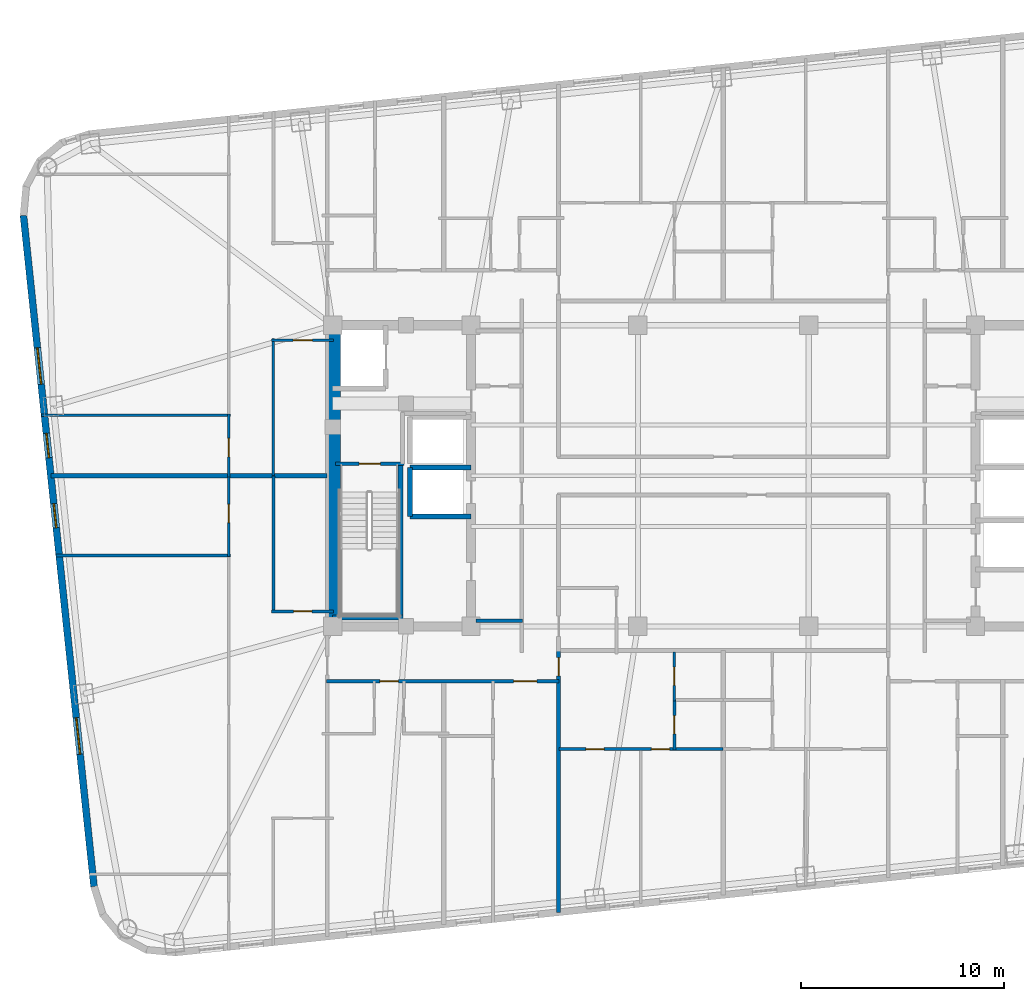
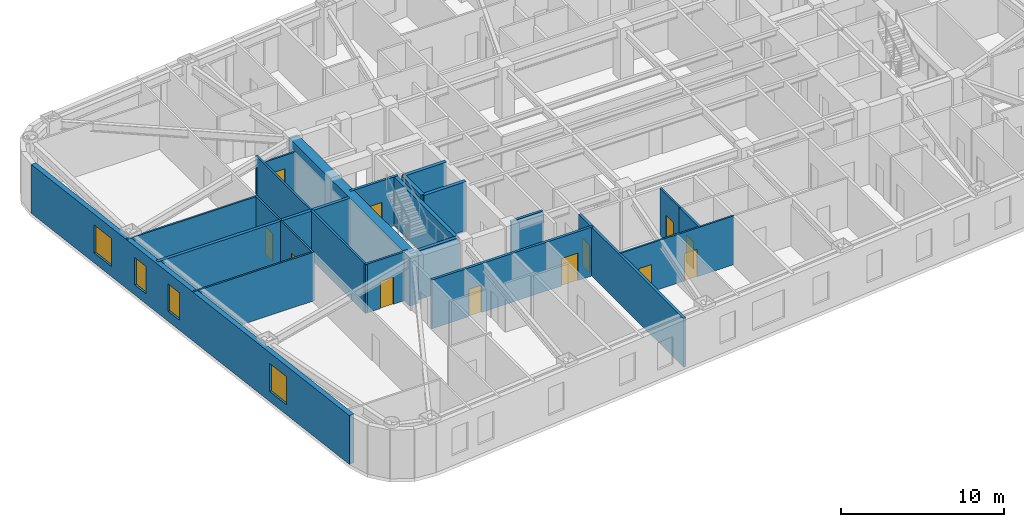
# One storey, part 3 of 12: 23 walls, 12 doors, 4 windows, 16 openings.
"""IFC4 building model written with IfcOpenShell, lengths in metres."""

from ifc_helpers import new_model, si_unit, direction, frame, frame_2d, origin, place, context, subcontext, project, spatial, rectangle, extrude, material, layer, layer_set, type_object, element, fill, save


model = new_model("IFC4")

# Units and contexts
model_context = context("Model", 3, precision=1e-05, world=origin(), true_north=direction((0.0, 1.0)))
body_context = subcontext(model_context, "Body", "Model", "MODEL_VIEW")
ifc_project = project(units=[si_unit("LENGTHUNIT", "METRE"), si_unit("AREAUNIT", "SQUARE_METRE"), si_unit("VOLUMEUNIT", "CUBIC_METRE"), si_unit("PLANEANGLEUNIT", "RADIAN"), si_unit("MASSUNIT", "GRAM", prefix="KILO")], contexts=[model_context])

# Site, building, storey
site_placement = place(None, origin())
site = spatial("IfcSite", under=ifc_project, at=site_placement, CompositionType="ELEMENT")
building_placement = place(site_placement, origin())
building = spatial("IfcBuilding", under=site, at=building_placement, Name="Voryun Gate Residences", CompositionType="ELEMENT")
storey_placement = place(building_placement, frame((0.0, 0.0, 179.39990234375)))
storey = spatial("IfcBuildingStorey", under=building, at=storey_placement, Name="L44", CompositionType="ELEMENT", Elevation=179.39990234375)

# Wall
ifc_material_1 = material(Name="Concrete C60/75", Category="concrete")
ifc_layer_1 = layer(ifc_material_1, 0.64990234375, Name="CW_CORE_650")
ifc_layer_set_1 = layer_set([ifc_layer_1], Name="Concrete C60/75")
wall_type_1 = type_object("IfcWallType", Name="CW_CORE_650", PredefinedType="SHEAR", material=ifc_layer_set_1)
wall_1_placement = place(storey_placement, frame((-19.14501953125, -7.39990234375, 0.0), z_axis=(0.0, 0.0, 1.0), x_axis=(0.0, 1.0, 0.0)))
element("IfcWall", 1, at=wall_1_placement, inside=storey, type_object=wall_type_1, Name="L44 Core shear wall CW-L44-WW", PredefinedType="SHEAR", context=body_context, shape_type="SweptSolid", body=[
    extrude(rectangle(XDim=14.7998046875, YDim=0.64990234375, at=frame_2d((7.39990234375, 0.0))), origin(), (0.0, 0.0, 1.0), 3.650146484375),
])

# Wall, opening, door
ifc_material_2 = material(Name="Gypsum acoustic fireboard")
ifc_layer_2 = layer(ifc_material_2, 0.179931640625, Name="W_CORR_RATED_180")
ifc_layer_set_2 = layer_set([ifc_layer_2], Name="Gypsum acoustic fireboard")
wall_type_2 = type_object("IfcWallType", Name="W_CORR_RATED_180", PredefinedType="PARTITIONING", material=ifc_layer_set_2)
wall_2_placement = place(storey_placement, frame((-19.06005859375, 0.60009765625, 0.0), z_axis=(0.0, 0.0, 1.0), x_axis=(1.0, 0.0, 0.0)))
wall_2 = element("IfcWall", 2, at=wall_2_placement, inside=storey, type_object=wall_type_2, Name="Partition wall WP-L44-STV-W", PredefinedType="PARTITIONING", context=body_context, shape_type="SweptSolid", body=[
    extrude(rectangle(XDim=3.360107421875, YDim=0.179931640625, at=frame_2d((1.68017578125, 0.0))), origin(), (0.0, 0.0, 1.0), 3.650146484375),
])
opening_1_placement = place(wall_2_placement, frame((1.155029296875, 0.0, 0.0)))
opening_1 = element("IfcOpeningElement", 3, at=opening_1_placement, cuts=wall_2, Name="Opening D-FD60-1", PredefinedType="OPENING", context=body_context, shape_type="SweptSolid", body=[
    extrude(rectangle(XDim=1.050048828125, YDim=2.050048828125, at=frame_2d((0.52490234375, 1.02490234375))), frame((0.0, 0.099853515625, 0.0), z_axis=(0.0, -1.0, 0.0), x_axis=(1.0, 0.0, 0.0)), (0.0, 0.0, 1.0), 0.199951171875),
])
ifc_material_3 = material(Name="Painted steel fire door", Category="steel")
door_type_1 = type_object("IfcDoorType", Name="DR_FD60_STAIR_1050", OperationType="NOTDEFINED", PredefinedType="DOOR", material=ifc_material_3)
door_1_placement = place(opening_1_placement, origin())
door_1 = element("IfcDoor", 4, at=door_1_placement, inside=storey, type_object=door_type_1, Name="Door DR-L44-ST-W", OperationType="SINGLE_SWING_LEFT", OverallHeight=2.050048828125, OverallWidth=1.050048828125, PredefinedType="DOOR", context=body_context, shape_type="SweptSolid", body=[
    extrude(rectangle(XDim=1.050048828125, YDim=2.050048828125, at=frame_2d((0.52490234375, 1.02490234375))), frame((0.0, 0.02490234375, 0.0), z_axis=(0.0, -1.0, 0.0), x_axis=(1.0, 0.0, 0.0)), (0.0, 0.0, 1.0), 0.050048828125),
])
fill(opening_1, door_1)

# Wall
wall_3_placement = place(storey_placement, frame((-12.14990234375, -7.1201171875, 0.0), z_axis=(0.0, 0.0, 1.0), x_axis=(1.0, 0.0, 0.0)))
element("IfcWall", 5, at=wall_3_placement, inside=storey, type_object=wall_type_2, Name="Partition wall WP-L44-PLBS-W", PredefinedType="PARTITIONING", context=body_context, shape_type="SweptSolid", body=[
    extrude(rectangle(XDim=2.27001953125, YDim=0.179931640625, at=frame_2d((1.135009765625, 0.0))), origin(), (0.0, 0.0, 1.0), 3.650146484375),
])

# Wall, openings, doors
wall_4_placement = place(storey_placement, frame((-19.5, -10.10009765625, 0.0), z_axis=(0.0, 0.0, 1.0), x_axis=(1.0, 0.0, 0.0)))
wall_4 = element("IfcWall", 6, at=wall_4_placement, inside=storey, type_object=wall_type_2, Name="Partition wall WP-L44-SCORR-W", PredefinedType="PARTITIONING", context=body_context, shape_type="SweptSolid", body=[
    extrude(rectangle(XDim=11.419921875, YDim=0.179931640625, at=frame_2d((5.7099609375, 0.0))), origin(), (0.0, 0.0, 1.0), 3.650146484375),
])
opening_2_placement = place(wall_4_placement, frame((2.623046875, 0.0, 0.0)))
opening_2 = element("IfcOpeningElement", 7, at=opening_2_placement, cuts=wall_4, Name="Opening D-INT-2", PredefinedType="OPENING", context=body_context, shape_type="SweptSolid", body=[
    extrude(rectangle(XDim=0.89990234375, YDim=2.050048828125, at=frame_2d((0.449951171875, 1.02490234375))), frame((0.0, 0.099853515625, 0.0), z_axis=(0.0, -1.0, 0.0), x_axis=(1.0, 0.0, 0.0)), (0.0, 0.0, 1.0), 0.199951171875),
])
opening_3_placement = place(wall_4_placement, frame((9.189208984375, 0.0, 0.0)))
opening_3 = element("IfcOpeningElement", 8, at=opening_3_placement, cuts=wall_4, Name="Opening D-UNIT-1", PredefinedType="OPENING", context=body_context, shape_type="SweptSolid", body=[
    extrude(rectangle(XDim=1.14990234375, YDim=2.050048828125, at=frame_2d((0.574951171875, 1.02490234375))), frame((0.0, 0.099853515625, 0.0), z_axis=(0.0, -1.0, 0.0), x_axis=(1.0, 0.0, 0.0)), (0.0, 0.0, 1.0), 0.199951171875),
])
ifc_material_4 = material(Name="Architectural oak veneer")
door_type_2 = type_object("IfcDoorType", Name="DR_INT_BATH_900", OperationType="NOTDEFINED", PredefinedType="DOOR", material=ifc_material_4)
door_2_placement = place(opening_2_placement, origin())
door_2 = element("IfcDoor", 9, at=door_2_placement, inside=storey, type_object=door_type_2, Name="Door DR-L44-SENT-1", OperationType="SINGLE_SWING_RIGHT", OverallHeight=2.050048828125, OverallWidth=0.89990234375, PredefinedType="DOOR", context=body_context, shape_type="SweptSolid", body=[
    extrude(rectangle(XDim=0.89990234375, YDim=2.050048828125, at=frame_2d((0.449951171875, 1.02490234375))), frame((0.0, 0.02490234375, 0.0), z_axis=(0.0, -1.0, 0.0), x_axis=(1.0, 0.0, 0.0)), (0.0, 0.0, 1.0), 0.050048828125),
])
fill(opening_2, door_2)
ifc_material_5 = material(Name="Armoured timber-clad fire door", Category="wood")
door_type_3 = type_object("IfcDoorType", Name="DR_UNIT_ENTRY_1150", OperationType="NOTDEFINED", PredefinedType="DOOR", material=ifc_material_5)
door_3_placement = place(opening_3_placement, origin())
door_3 = element("IfcDoor", 10, at=door_3_placement, inside=storey, type_object=door_type_3, Name="Door DR-L44-SENT-2", OperationType="SINGLE_SWING_LEFT", OverallHeight=2.050048828125, OverallWidth=1.14990234375, PredefinedType="DOOR", context=body_context, shape_type="SweptSolid", body=[
    extrude(rectangle(XDim=1.14990234375, YDim=2.050048828125, at=frame_2d((0.574951171875, 1.02490234375))), frame((0.0, 0.02490234375, 0.0), z_axis=(0.0, -1.0, 0.0), x_axis=(1.0, 0.0, 0.0)), (0.0, 0.0, 1.0), 0.050048828125),
])
fill(opening_3, door_3)

# Wall, opening, door
wall_5_placement = place(storey_placement, frame((-8.10009765625, -21.456298828125, 0.0), z_axis=(0.0, 0.0, 1.0), x_axis=(0.0, 1.0, 0.0)))
wall_5 = element("IfcWall", 11, at=wall_5_placement, inside=storey, type_object=wall_type_2, Name="Partition wall WP-L44-SZV-1", PredefinedType="PARTITIONING", context=body_context, shape_type="SweptSolid", body=[
    extrude(rectangle(XDim=12.8662109375, YDim=0.179931640625, at=frame_2d((6.43310546875, 0.0))), origin(), (0.0, 0.0, 1.0), 3.650146484375),
])
opening_4_placement = place(wall_5_placement, frame((11.6162109375, 0.0, 0.0)))
opening_4 = element("IfcOpeningElement", 12, at=opening_4_placement, cuts=wall_5, Name="Opening D-INT-2", PredefinedType="OPENING", context=body_context, shape_type="SweptSolid", body=[
    extrude(rectangle(XDim=0.89990234375, YDim=2.050048828125, at=frame_2d((0.449951171875, 1.02490234375))), frame((0.0, 0.099853515625, 0.0), z_axis=(0.0, -1.0, 0.0), x_axis=(1.0, 0.0, 0.0)), (0.0, 0.0, 1.0), 0.199951171875),
])
door_4_placement = place(opening_4_placement, origin())
door_4 = element("IfcDoor", 13, at=door_4_placement, inside=storey, type_object=door_type_2, Name="Door DR-L44-SZENT-1", OperationType="SINGLE_SWING_LEFT", OverallHeight=2.050048828125, OverallWidth=0.89990234375, PredefinedType="DOOR", context=body_context, shape_type="SweptSolid", body=[
    extrude(rectangle(XDim=0.89990234375, YDim=2.050048828125, at=frame_2d((0.449951171875, 1.02490234375))), frame((0.0, 0.02490234375, 0.0), z_axis=(0.0, -1.0, 0.0), x_axis=(1.0, 0.0, 0.0)), (0.0, 0.0, 1.0), 0.050048828125),
])
fill(opening_4, door_4)

# Wall, openings, windows
ifc_material_6 = material(Name="Charcoal terracotta masonry", Category="masonry")
ifc_layer_3 = layer(ifc_material_6, 0.340087890625, Name="W_EXT_TERRACOTTA_340")
ifc_layer_set_3 = layer_set([ifc_layer_3], Name="Charcoal terracotta masonry")
wall_type_3 = type_object("IfcWallType", Name="W_EXT_TERRACOTTA_340", PredefinedType="ELEMENTEDWALL", material=ifc_layer_set_3)
wall_6_placement = place(storey_placement, frame((-30.934326171875, -20.189697265625, 0.0), z_axis=(0.0, 0.0, 1.0), x_axis=(-0.10452691388, 0.994522058214, 0.0)))
wall_6 = element("IfcWall", 14, at=wall_6_placement, inside=storey, type_object=wall_type_3, Name="Exterior wall WEXT-L44-06", PredefinedType="ELEMENTEDWALL", context=body_context, shape_type="SweptSolid", body=[
    extrude(rectangle(XDim=33.16650390625, YDim=0.340087890625, at=frame_2d((16.583251953125, 0.0))), origin(), (0.0, 0.0, 1.0), 3.650146484375),
])
opening_5_placement = place(wall_6_placement, frame((6.54150390625, 0.0, 0.75)))
opening_5 = element("IfcOpeningElement", 15, at=opening_5_placement, cuts=wall_6, Name="Opening WN1", PredefinedType="OPENING", context=body_context, shape_type="SweptSolid", body=[
    extrude(rectangle(XDim=1.800048828125, YDim=2.10009765625, at=frame_2d((0.89990234375, 1.050048828125))), frame((0.0, 0.179931640625, 0.0), z_axis=(0.0, -1.0, 0.0), x_axis=(1.0, 0.0, 0.0)), (0.0, 0.0, 1.0), 0.360107421875),
])
opening_6_placement = place(wall_6_placement, frame((24.824951171875, 0.0, 0.75)))
opening_6 = element("IfcOpeningElement", 16, at=opening_6_placement, cuts=wall_6, Name="Opening WN1", PredefinedType="OPENING", context=body_context, shape_type="SweptSolid", body=[
    extrude(rectangle(XDim=1.800048828125, YDim=2.10009765625, at=frame_2d((0.89990234375, 1.050048828125))), frame((0.0, 0.179931640625, 0.0), z_axis=(0.0, -1.0, 0.0), x_axis=(1.0, 0.0, 0.0)), (0.0, 0.0, 1.0), 0.360107421875),
])
opening_7_placement = place(wall_6_placement, frame((17.728759765625, 0.0, 0.75)))
opening_7 = element("IfcOpeningElement", 17, at=opening_7_placement, cuts=wall_6, Name="Opening WN6", PredefinedType="OPENING", context=body_context, shape_type="SweptSolid", body=[
    extrude(rectangle(XDim=1.199951171875, YDim=2.050048828125, at=frame_2d((0.60009765625, 1.02490234375))), frame((0.0, 0.179931640625, 0.0), z_axis=(0.0, -1.0, 0.0), x_axis=(1.0, 0.0, 0.0)), (0.0, 0.0, 1.0), 0.360107421875),
])
opening_8_placement = place(wall_6_placement, frame((21.1962890625, 0.0, 0.75)))
opening_8 = element("IfcOpeningElement", 18, at=opening_8_placement, cuts=wall_6, Name="Opening WN6", PredefinedType="OPENING", context=body_context, shape_type="SweptSolid", body=[
    extrude(rectangle(XDim=1.199951171875, YDim=2.050048828125, at=frame_2d((0.60009765625, 1.02490234375))), frame((0.0, 0.179931640625, 0.0), z_axis=(0.0, -1.0, 0.0), x_axis=(1.0, 0.0, 0.0)), (0.0, 0.0, 1.0), 0.360107421875),
])
ifc_material_7 = material(Name="Laminated low-E glass", Category="glass")
window_type_1 = type_object("IfcWindowType", Name="WN_POD_SLOT_1200", PartitioningType="SINGLE_PANEL", PredefinedType="WINDOW", material=ifc_material_7)
window_1_placement = place(opening_7_placement, origin())
window_1 = element("IfcWindow", 19, at=window_1_placement, inside=storey, type_object=window_type_1, Name="Window WN-L44-DWFIX-21", OverallHeight=2.050048828125, OverallWidth=1.199951171875, PartitioningType="SINGLE_PANEL", PredefinedType="WINDOW", context=body_context, shape_type="SweptSolid", body=[
    extrude(rectangle(XDim=1.199951171875, YDim=2.050048828125, at=frame_2d((0.60009765625, 1.02490234375))), frame((0.0, 0.030029296875, 0.0), z_axis=(0.0, -1.0, 0.0), x_axis=(1.0, 0.0, 0.0)), (0.0, 0.0, 1.0), 0.06005859375),
])
fill(opening_7, window_1)
window_2_placement = place(opening_8_placement, origin())
window_2 = element("IfcWindow", 20, at=window_2_placement, inside=storey, type_object=window_type_1, Name="Window WN-L44-DWFIX-25", OverallHeight=2.050048828125, OverallWidth=1.199951171875, PartitioningType="SINGLE_PANEL", PredefinedType="WINDOW", context=body_context, shape_type="SweptSolid", body=[
    extrude(rectangle(XDim=1.199951171875, YDim=2.050048828125, at=frame_2d((0.60009765625, 1.02490234375))), frame((0.0, 0.030029296875, 0.0), z_axis=(0.0, -1.0, 0.0), x_axis=(1.0, 0.0, 0.0)), (0.0, 0.0, 1.0), 0.06005859375),
])
fill(opening_8, window_2)
ifc_material_8 = material(Name="Laminated low-E glass", Category="glass")
window_type_2 = type_object("IfcWindowType", Name="WN_RES_PUNCH_1800", PartitioningType="SINGLE_PANEL", PredefinedType="WINDOW", material=ifc_material_8)
window_3_placement = place(opening_5_placement, origin())
window_3 = element("IfcWindow", 21, at=window_3_placement, inside=storey, type_object=window_type_2, Name="Window WN-WEXT-L44-06-01", OverallHeight=2.10009765625, OverallWidth=1.800048828125, PartitioningType="SINGLE_PANEL", PredefinedType="WINDOW", context=body_context, shape_type="SweptSolid", body=[
    extrude(rectangle(XDim=1.800048828125, YDim=2.10009765625, at=frame_2d((0.89990234375, 1.050048828125))), frame((0.0, 0.030029296875, 0.0), z_axis=(0.0, -1.0, 0.0), x_axis=(1.0, 0.0, 0.0)), (0.0, 0.0, 1.0), 0.06005859375),
])
fill(opening_5, window_3)
window_4_placement = place(opening_6_placement, origin())
window_4 = element("IfcWindow", 22, at=window_4_placement, inside=storey, type_object=window_type_2, Name="Window WN-WEXT-L44-06-02", OverallHeight=2.10009765625, OverallWidth=1.800048828125, PartitioningType="SINGLE_PANEL", PredefinedType="WINDOW", context=body_context, shape_type="SweptSolid", body=[
    extrude(rectangle(XDim=1.800048828125, YDim=2.10009765625, at=frame_2d((0.89990234375, 1.050048828125))), frame((0.0, 0.030029296875, 0.0), z_axis=(0.0, -1.0, 0.0), x_axis=(1.0, 0.0, 0.0)), (0.0, 0.0, 1.0), 0.06005859375),
])
fill(opening_6, window_4)

# Walls
ifc_material_9 = material(Name="Concrete C40/50", Category="concrete")
ifc_layer_4 = layer(ifc_material_9, 0.219970703125, Name="W_PARTY_ACOUSTIC_220")
ifc_layer_set_4 = layer_set([ifc_layer_4], Name="Concrete C40/50")
wall_type_4 = type_object("IfcWallType", Name="W_PARTY_ACOUSTIC_220", PredefinedType="PARTITIONING", material=ifc_layer_set_4)
wall_7_placement = place(storey_placement, frame((-19.469970703125, 0.0, 0.0), z_axis=(0.0, 0.0, 1.0), x_axis=(-1.0, 0.0, 0.0)))
element("IfcWall", 23, at=wall_7_placement, inside=storey, type_object=wall_type_4, Name="Partition wall WP-L44-WPTY", PredefinedType="PARTITIONING", context=body_context, shape_type="SweptSolid", body=[
    extrude(rectangle(XDim=13.58642578125, YDim=0.219970703125, at=frame_2d((6.793212890625, 0.0))), origin(), (0.0, 0.0, 1.0), 3.650146484375),
])
ifc_material_10 = material(Name="Concrete C50/60", Category="concrete")
ifc_layer_5 = layer(ifc_material_10, 0.25, Name="W_SHAFT_RC250")
ifc_layer_set_5 = layer_set([ifc_layer_5], Name="Concrete C50/60")
wall_type_5 = type_object("IfcWallType", Name="W_SHAFT_RC250", PredefinedType="SOLIDWALL", material=ifc_layer_set_5)
wall_8_placement = place(storey_placement, frame((-15.860107421875, -7.0849609375, 0.0), z_axis=(0.0, 0.0, 1.0), x_axis=(0.0, 1.0, 0.0)))
element("IfcWall", 24, at=wall_8_placement, inside=storey, type_object=wall_type_5, Name="L44 Stair shaft structural wall W-STR", PredefinedType="SOLIDWALL", context=body_context, shape_type="SweptSolid", body=[
    extrude(rectangle(XDim=7.68505859375, YDim=0.25, at=frame_2d((3.842529296875, 0.0))), origin(), (0.0, 0.0, 1.0), 3.650146484375),
])
wall_9_placement = place(storey_placement, frame((-19.199951171875, -6.965087890625, 0.0), z_axis=(0.0, 0.0, 1.0), x_axis=(1.0, 0.0, 0.0)))
element("IfcWall", 25, at=wall_9_placement, inside=storey, type_object=wall_type_5, Name="L44 Stair shaft structural wall W-STS", PredefinedType="SOLIDWALL", context=body_context, shape_type="SweptSolid", body=[
    extrude(rectangle(XDim=3.4599609375, YDim=0.25, at=frame_2d((1.72998046875, 0.0))), origin(), (0.0, 0.0, 1.0), 3.650146484375),
])
for number, where, z_axis, x_axis, name in (
    (26, (-15.39990234375, -2.0, 0.0), (0.0, 0.0, 1.0), (1.0, 0.0, 0.0), "Lift shaft wall WSH-L44-EL-P4-S"),
    (27, (-12.39990234375, 0.39990234375, 0.0), (0.0, 0.0, 1.0), (-1.0, 0.0, 0.0), "Lift shaft wall WSH-L44-EL-P4-N"),
):
    element("IfcWall", number, at=place(storey_placement, frame(where, z_axis=z_axis, x_axis=x_axis)), inside=storey, type_object=wall_type_5, Name=name, PredefinedType="SOLIDWALL", context=body_context, shape_type="SweptSolid", body=[
        extrude(rectangle(XDim=3.0, YDim=0.25, at=frame_2d((1.5, 0.0))), origin(), (0.0, 0.0, 1.0), 3.650146484375),
    ])
wall_10_placement = place(storey_placement, frame((-15.39990234375, 0.39990234375, 0.0), z_axis=(0.0, 0.0, 1.0), x_axis=(0.0, -1.0, 0.0)))
element("IfcWall", 28, at=wall_10_placement, inside=storey, type_object=wall_type_5, Name="Lift shaft wall WSH-L44-EL-P4-W", PredefinedType="SOLIDWALL", context=body_context, shape_type="SweptSolid", body=[
    extrude(rectangle(XDim=2.39990234375, YDim=0.25, at=frame_2d((1.199951171875, 0.0))), origin(), (0.0, 0.0, 1.0), 3.650146484375),
])

# Wall, openings, doors
ifc_material_11 = material(Name="Gypsum acoustic partition")
ifc_layer_6 = layer(ifc_material_11, 0.125, Name="W_UNIT_PART_125")
ifc_layer_set_6 = layer_set([ifc_layer_6], Name="Gypsum acoustic partition")
wall_type_6 = type_object("IfcWallType", Name="W_UNIT_PART_125", PredefinedType="PARTITIONING", material=ifc_layer_set_6)
wall_11_placement = place(storey_placement, frame((-8.080078125, -13.429931640625, 0.0), z_axis=(0.0, 0.0, 1.0), x_axis=(1.0, 0.0, 0.0)))
wall_11 = element("IfcWall", 29, at=wall_11_placement, inside=storey, type_object=wall_type_6, Name="Partition wall WP-L44-SC1-HZ", PredefinedType="PARTITIONING", context=body_context, shape_type="SweptSolid", body=[
    extrude(rectangle(XDim=8.06005859375, YDim=0.125, at=frame_2d((4.030029296875, 0.0))), origin(), (0.0, 0.0, 1.0), 3.650146484375),
])
opening_9_placement = place(wall_11_placement, frame((1.3232421875, 0.0, 0.0)))
opening_9 = element("IfcOpeningElement", 30, at=opening_9_placement, cuts=wall_11, Name="Opening D-INT-2", PredefinedType="OPENING", context=body_context, shape_type="SweptSolid", body=[
    extrude(rectangle(XDim=0.89990234375, YDim=2.050048828125, at=frame_2d((0.449951171875, 1.02490234375))), frame((0.0, 0.072509765625, 0.0), z_axis=(0.0, -1.0, 0.0), x_axis=(1.0, 0.0, 0.0)), (0.0, 0.0, 1.0), 0.14501953125),
])
opening_10_placement = place(wall_11_placement, frame((4.547119140625, 0.0, 0.0)))
opening_10 = element("IfcOpeningElement", 31, at=opening_10_placement, cuts=wall_11, Name="Opening D-INT-2", PredefinedType="OPENING", context=body_context, shape_type="SweptSolid", body=[
    extrude(rectangle(XDim=0.89990234375, YDim=2.050048828125, at=frame_2d((0.449951171875, 1.02490234375))), frame((0.0, 0.072509765625, 0.0), z_axis=(0.0, -1.0, 0.0), x_axis=(1.0, 0.0, 0.0)), (0.0, 0.0, 1.0), 0.14501953125),
])
door_5_placement = place(opening_9_placement, origin())
door_5 = element("IfcDoor", 32, at=door_5_placement, inside=storey, type_object=door_type_2, Name="Door DR-L44-SC1-DMB", OperationType="SINGLE_SWING_LEFT", OverallHeight=2.050048828125, OverallWidth=0.89990234375, PredefinedType="DOOR", context=body_context, shape_type="SweptSolid", body=[
    extrude(rectangle(XDim=0.89990234375, YDim=2.050048828125, at=frame_2d((0.449951171875, 1.02490234375))), frame((0.0, 0.02490234375, 0.0), z_axis=(0.0, -1.0, 0.0), x_axis=(1.0, 0.0, 0.0)), (0.0, 0.0, 1.0), 0.050048828125),
])
fill(opening_9, door_5)
door_6_placement = place(opening_10_placement, origin())
door_6 = element("IfcDoor", 33, at=door_6_placement, inside=storey, type_object=door_type_2, Name="Door DR-L44-SC1-DBD2", OperationType="SINGLE_SWING_RIGHT", OverallHeight=2.050048828125, OverallWidth=0.89990234375, PredefinedType="DOOR", context=body_context, shape_type="SweptSolid", body=[
    extrude(rectangle(XDim=0.89990234375, YDim=2.050048828125, at=frame_2d((0.449951171875, 1.02490234375))), frame((0.0, 0.02490234375, 0.0), z_axis=(0.0, -1.0, 0.0), x_axis=(1.0, 0.0, 0.0)), (0.0, 0.0, 1.0), 0.050048828125),
])
fill(opening_10, door_6)

# Wall, opening, door
wall_12_placement = place(storey_placement, frame((-2.409912109375, -11.06005859375, 0.0), z_axis=(0.0, 0.0, 1.0), x_axis=(0.0, 1.0, 0.0)))
wall_12 = element("IfcWall", 34, at=wall_12_placement, inside=storey, type_object=wall_type_6, Name="Partition wall WP-L44-SC1-VK1", PredefinedType="PARTITIONING", context=body_context, shape_type="SweptSolid", body=[
    extrude(rectangle(XDim=2.41015625, YDim=0.125, at=frame_2d((1.205078125, 0.0))), origin(), (0.0, 0.0, 1.0), 3.650146484375),
])
opening_11_placement = place(wall_12_placement, frame((0.7548828125, 0.0, 0.0)))
opening_11 = element("IfcOpeningElement", 35, at=opening_11_placement, cuts=wall_12, Name="Opening D-INT-2", PredefinedType="OPENING", context=body_context, shape_type="SweptSolid", body=[
    extrude(rectangle(XDim=0.89990234375, YDim=2.050048828125, at=frame_2d((0.449951171875, 1.02490234375))), frame((0.0, 0.072509765625, 0.0), z_axis=(0.0, -1.0, 0.0), x_axis=(1.0, 0.0, 0.0)), (0.0, 0.0, 1.0), 0.14501953125),
])
door_7_placement = place(opening_11_placement, origin())
door_7 = element("IfcDoor", 36, at=door_7_placement, inside=storey, type_object=door_type_2, Name="Door DR-L44-SC1-DK", OperationType="SINGLE_SWING_LEFT", OverallHeight=2.050048828125, OverallWidth=0.89990234375, PredefinedType="DOOR", context=body_context, shape_type="SweptSolid", body=[
    extrude(rectangle(XDim=0.89990234375, YDim=2.050048828125, at=frame_2d((0.449951171875, 1.02490234375))), frame((0.0, 0.02490234375, 0.0), z_axis=(0.0, -1.0, 0.0), x_axis=(1.0, 0.0, 0.0)), (0.0, 0.0, 1.0), 0.050048828125),
])
fill(opening_11, door_7)

# Wall
wall_13_placement = place(storey_placement, frame((-32.79541015625, -3.91796875, 0.0), z_axis=(0.0, 0.0, 1.0), x_axis=(1.0, 0.0, 0.0)))
element("IfcWall", 37, at=wall_13_placement, inside=storey, type_object=wall_type_6, Name="Partition wall WP-L44-W1-OH2", PredefinedType="PARTITIONING", context=body_context, shape_type="SweptSolid", body=[
    extrude(rectangle(XDim=8.575439453125, YDim=0.125, at=frame_2d((4.28759765625, 0.0))), origin(), (0.0, 0.0, 1.0), 3.650146484375),
])

# Wall, opening, door
wall_14_placement = place(storey_placement, frame((-24.300048828125, -3.968017578125, 0.0), z_axis=(0.0, 0.0, 1.0), x_axis=(0.0, 1.0, 0.0)))
wall_14 = element("IfcWall", 38, at=wall_14_placement, inside=storey, type_object=wall_type_6, Name="Partition wall WP-L44-W1-OVX3", PredefinedType="PARTITIONING", context=body_context, shape_type="SweptSolid", body=[
    extrude(rectangle(XDim=4.030517578125, YDim=0.125, at=frame_2d((2.01513671875, 0.0))), origin(), (0.0, 0.0, 1.0), 3.650146484375),
])
opening_12_placement = place(wall_14_placement, frame((1.6640625, 0.0, 0.0)))
opening_12 = element("IfcOpeningElement", 39, at=opening_12_placement, cuts=wall_14, Name="Opening D-INT-2", PredefinedType="OPENING", context=body_context, shape_type="SweptSolid", body=[
    extrude(rectangle(XDim=0.89990234375, YDim=2.050048828125, at=frame_2d((0.449951171875, 1.02490234375))), frame((0.0, 0.072509765625, 0.0), z_axis=(0.0, -1.0, 0.0), x_axis=(1.0, 0.0, 0.0)), (0.0, 0.0, 1.0), 0.14501953125),
])
door_8_placement = place(opening_12_placement, origin())
door_8 = element("IfcDoor", 40, at=door_8_placement, inside=storey, type_object=door_type_2, Name="Door DR-L44-W1-DMB", OperationType="SINGLE_SWING_LEFT", OverallHeight=2.050048828125, OverallWidth=0.89990234375, PredefinedType="DOOR", context=body_context, shape_type="SweptSolid", body=[
    extrude(rectangle(XDim=0.89990234375, YDim=2.050048828125, at=frame_2d((0.449951171875, 1.02490234375))), frame((0.0, 0.02490234375, 0.0), z_axis=(0.0, -1.0, 0.0), x_axis=(1.0, 0.0, 0.0)), (0.0, 0.0, 1.0), 0.050048828125),
])
fill(opening_12, door_8)

# Wall
wall_15_placement = place(storey_placement, frame((-33.520263671875, 2.97900390625, 0.0), z_axis=(0.0, 0.0, 1.0), x_axis=(1.0, 0.0, 0.0)))
element("IfcWall", 41, at=wall_15_placement, inside=storey, type_object=wall_type_6, Name="Partition wall WP-L44-W2-OH1", PredefinedType="PARTITIONING", context=body_context, shape_type="SweptSolid", body=[
    extrude(rectangle(XDim=9.30029296875, YDim=0.125, at=frame_2d((4.650146484375, 0.0))), origin(), (0.0, 0.0, 1.0), 3.650146484375),
])

# Wall, opening, door
wall_16_placement = place(storey_placement, frame((-24.300048828125, -0.0625, 0.0), z_axis=(0.0, 0.0, 1.0), x_axis=(0.0, 1.0, 0.0)))
wall_16 = element("IfcWall", 42, at=wall_16_placement, inside=storey, type_object=wall_type_6, Name="Partition wall WP-L44-W2-OVX1", PredefinedType="PARTITIONING", context=body_context, shape_type="SweptSolid", body=[
    extrude(rectangle(XDim=3.091552734375, YDim=0.125, at=frame_2d((1.5458984375, 0.0))), origin(), (0.0, 0.0, 1.0), 3.650146484375),
])
opening_13_placement = place(wall_16_placement, frame((0.9970703125, 0.0, 0.0)))
opening_13 = element("IfcOpeningElement", 43, at=opening_13_placement, cuts=wall_16, Name="Opening D-INT-2", PredefinedType="OPENING", context=body_context, shape_type="SweptSolid", body=[
    extrude(rectangle(XDim=0.89990234375, YDim=2.050048828125, at=frame_2d((0.449951171875, 1.02490234375))), frame((0.0, 0.072509765625, 0.0), z_axis=(0.0, -1.0, 0.0), x_axis=(1.0, 0.0, 0.0)), (0.0, 0.0, 1.0), 0.14501953125),
])
door_9_placement = place(opening_13_placement, origin())
door_9 = element("IfcDoor", 44, at=door_9_placement, inside=storey, type_object=door_type_2, Name="Door DR-L44-W2-DBD2", OperationType="SINGLE_SWING_LEFT", OverallHeight=2.050048828125, OverallWidth=0.89990234375, PredefinedType="DOOR", context=body_context, shape_type="SweptSolid", body=[
    extrude(rectangle(XDim=0.89990234375, YDim=2.050048828125, at=frame_2d((0.449951171875, 1.02490234375))), frame((0.0, 0.02490234375, 0.0), z_axis=(0.0, -1.0, 0.0), x_axis=(1.0, 0.0, 0.0)), (0.0, 0.0, 1.0), 0.050048828125),
])
fill(opening_13, door_9)

wall_17_placement = place(storey_placement, frame((-22.199951171875, 6.659912109375, 0.0), z_axis=(0.0, 0.0, 1.0), x_axis=(1.0, 0.0, 0.0)))
wall_17 = element("IfcWall", 45, at=wall_17_placement, inside=storey, type_object=wall_type_6, Name="Partition wall WP-L44-W2-IKA", PredefinedType="PARTITIONING", context=body_context, shape_type="SweptSolid", body=[
    extrude(rectangle(XDim=3.050048828125, YDim=0.125, at=frame_2d((1.52490234375, 0.0))), origin(), (0.0, 0.0, 1.0), 3.0400390625),
])
opening_14_placement = place(wall_17_placement, frame((1.050048828125, 0.0, 0.0)))
opening_14 = element("IfcOpeningElement", 46, at=opening_14_placement, cuts=wall_17, Name="Opening D-INT-1", PredefinedType="OPENING", context=body_context, shape_type="SweptSolid", body=[
    extrude(rectangle(XDim=0.949951171875, YDim=2.050048828125, at=frame_2d((0.47509765625, 1.02490234375))), frame((0.0, 0.072509765625, 0.0), z_axis=(0.0, -1.0, 0.0), x_axis=(1.0, 0.0, 0.0)), (0.0, 0.0, 1.0), 0.14501953125),
])
ifc_material_12 = material(Name="Architectural oak veneer")
door_type_4 = type_object("IfcDoorType", Name="DR_INT_ROOM_950", OperationType="NOTDEFINED", PredefinedType="DOOR", material=ifc_material_12)
door_10_placement = place(opening_14_placement, origin())
door_10 = element("IfcDoor", 47, at=door_10_placement, inside=storey, type_object=door_type_4, Name="Door DR-L44-W2-DK", OperationType="SINGLE_SWING_LEFT", OverallHeight=2.050048828125, OverallWidth=0.949951171875, PredefinedType="DOOR", context=body_context, shape_type="SweptSolid", body=[
    extrude(rectangle(XDim=0.949951171875, YDim=2.050048828125, at=frame_2d((0.47509765625, 1.02490234375))), frame((0.0, 0.02490234375, 0.0), z_axis=(0.0, -1.0, 0.0), x_axis=(1.0, 0.0, 0.0)), (0.0, 0.0, 1.0), 0.050048828125),
])
fill(opening_14, door_10)

# Wall
wall_18_placement = place(storey_placement, frame((-22.1201171875, 0.02001953125, 0.0), z_axis=(0.0, 0.0, 1.0), x_axis=(0.0, 1.0, 0.0)))
element("IfcWall", 48, at=wall_18_placement, inside=storey, type_object=wall_type_6, Name="Partition wall WP-L44-W2-VTA", PredefinedType="PARTITIONING", context=body_context, shape_type="SweptSolid", body=[
    extrude(rectangle(XDim=6.719970703125, YDim=0.125, at=frame_2d((3.35986328125, 0.0))), origin(), (0.0, 0.0, 1.0), 3.650146484375),
])

# Wall, opening, door
ifc_material_13 = material(Name="Gypsum moisture-resistant partition")
ifc_layer_7 = layer(ifc_material_13, 0.14990234375, Name="W_WET_PLUMB_150")
ifc_layer_set_7 = layer_set([ifc_layer_7], Name="Gypsum moisture-resistant partition")
wall_type_7 = type_object("IfcWallType", Name="W_WET_PLUMB_150", PredefinedType="PLUMBINGWALL", material=ifc_layer_set_7)
wall_19_placement = place(storey_placement, frame((-2.409912109375, -13.469970703125, 0.0), z_axis=(0.0, 0.0, 1.0), x_axis=(0.0, 1.0, 0.0)))
wall_19 = element("IfcWall", 49, at=wall_19_placement, inside=storey, type_object=wall_type_7, Name="Partition wall WP-L44-SC1-VK2", PredefinedType="PLUMBINGWALL", context=body_context, shape_type="SweptSolid", body=[
    extrude(rectangle(XDim=2.469970703125, YDim=0.14990234375, at=frame_2d((1.23486328125, 0.0))), origin(), (0.0, 0.0, 1.0), 3.650146484375),
])
opening_15_placement = place(wall_19_placement, frame((0.784912109375, 0.0, 0.0)))
opening_15 = element("IfcOpeningElement", 50, at=opening_15_placement, cuts=wall_19, Name="Opening D-INT-2", PredefinedType="OPENING", context=body_context, shape_type="SweptSolid", body=[
    extrude(rectangle(XDim=0.89990234375, YDim=2.050048828125, at=frame_2d((0.449951171875, 1.02490234375))), frame((0.0, 0.0849609375, 0.0), z_axis=(0.0, -1.0, 0.0), x_axis=(1.0, 0.0, 0.0)), (0.0, 0.0, 1.0), 0.169921875),
])
door_11_placement = place(opening_15_placement, origin())
door_11 = element("IfcDoor", 51, at=door_11_placement, inside=storey, type_object=door_type_2, Name="Door DR-L44-SC1-DB", OperationType="SINGLE_SWING_RIGHT", OverallHeight=2.050048828125, OverallWidth=0.89990234375, PredefinedType="DOOR", context=body_context, shape_type="SweptSolid", body=[
    extrude(rectangle(XDim=0.89990234375, YDim=2.050048828125, at=frame_2d((0.449951171875, 1.02490234375))), frame((0.0, 0.02490234375, 0.0), z_axis=(0.0, -1.0, 0.0), x_axis=(1.0, 0.0, 0.0)), (0.0, 0.0, 1.0), 0.050048828125),
])
fill(opening_15, door_11)

wall_20_placement = place(storey_placement, frame((-22.199951171875, -6.659912109375, 0.0), z_axis=(0.0, 0.0, 1.0), x_axis=(1.0, 0.0, 0.0)))
wall_20 = element("IfcWall", 52, at=wall_20_placement, inside=storey, type_object=wall_type_7, Name="Partition wall WP-L44-W1-IBB", PredefinedType="PLUMBINGWALL", context=body_context, shape_type="SweptSolid", body=[
    extrude(rectangle(XDim=3.050048828125, YDim=0.14990234375, at=frame_2d((1.52490234375, 0.0))), origin(), (0.0, 0.0, 1.0), 3.650146484375),
])
opening_16_placement = place(wall_20_placement, frame((1.074951171875, 0.0, 0.0)))
opening_16 = element("IfcOpeningElement", 53, at=opening_16_placement, cuts=wall_20, Name="Opening D-INT-2", PredefinedType="OPENING", context=body_context, shape_type="SweptSolid", body=[
    extrude(rectangle(XDim=0.89990234375, YDim=2.050048828125, at=frame_2d((0.449951171875, 1.02490234375))), frame((0.0, 0.0849609375, 0.0), z_axis=(0.0, -1.0, 0.0), x_axis=(1.0, 0.0, 0.0)), (0.0, 0.0, 1.0), 0.169921875),
])
door_12_placement = place(opening_16_placement, origin())
door_12 = element("IfcDoor", 54, at=door_12_placement, inside=storey, type_object=door_type_2, Name="Door DR-L44-W1-DB", OperationType="SINGLE_SWING_RIGHT", OverallHeight=2.050048828125, OverallWidth=0.89990234375, PredefinedType="DOOR", context=body_context, shape_type="SweptSolid", body=[
    extrude(rectangle(XDim=0.89990234375, YDim=2.050048828125, at=frame_2d((0.449951171875, 1.02490234375))), frame((0.0, 0.02490234375, 0.0), z_axis=(0.0, -1.0, 0.0), x_axis=(1.0, 0.0, 0.0)), (0.0, 0.0, 1.0), 0.050048828125),
])
fill(opening_16, door_12)

# Wall
wall_21_placement = place(storey_placement, frame((-22.1201171875, -6.739990234375, 0.0), z_axis=(0.0, 0.0, 1.0), x_axis=(0.0, 1.0, 0.0)))
element("IfcWall", 55, at=wall_21_placement, inside=storey, type_object=wall_type_7, Name="Partition wall WP-L44-W1-VTB", PredefinedType="PLUMBINGWALL", context=body_context, shape_type="SweptSolid", body=[
    extrude(rectangle(XDim=6.719970703125, YDim=0.14990234375, at=frame_2d((3.35986328125, 0.0))), origin(), (0.0, 0.0, 1.0), 3.650146484375),
])

save(model, "model.ifc")
